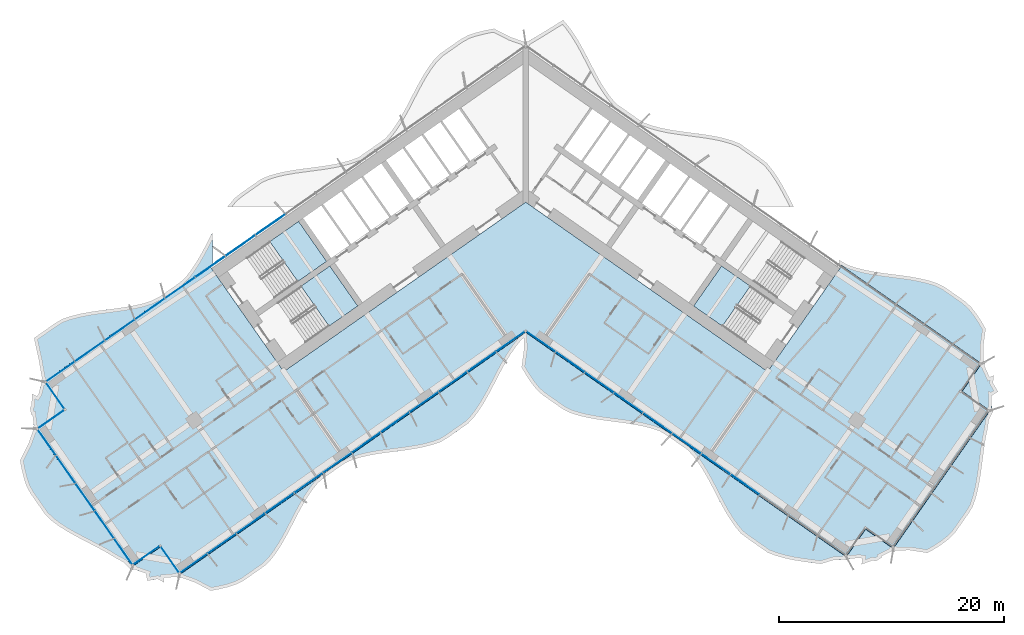
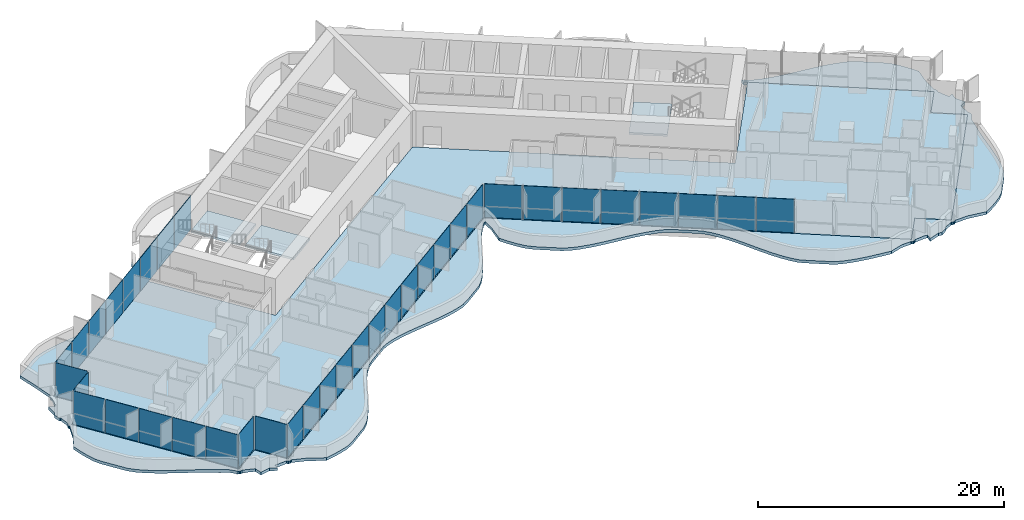
# One storey, part 10 of 23: 37 plates, 5 slabs, 5 elements without a shape of their own.
"""IFC4 building model written with IfcOpenShell, lengths in metres."""

import ifcopenshell
import ifcopenshell.guid

model = None  # the IFC model being written
_history = None  # IfcOwnerHistory: only IFC2X3 demands one
_inside = {}  # id of a spatial element -> (the spatial element, [elements in it])
_under = {}  # id of a project, library or spatial element -> (it, [spatial elements below it])
_declared = {}  # id of a project -> (the project, [libraries it declares])
_typed = {}  # id of a type object -> (the type object, [elements of that type])
_made_of = {}  # id of a material, layer set ... -> (it, [elements and type objects made of it])


def new_model(schema):
    """Start an empty IFC model of exactly this schema.

    Asked for "IFC4X3", IfcOpenShell would pick the latest addendum, in which some entities
    have other attributes; the version numbers below select the first issue.
    IFC2X3 requires an IfcOwnerHistory on every rooted entity: one is made here for all.
    """
    global model, _history
    if schema == "IFC4X3":
        model = ifcopenshell.file(schema_version=(4, 3, 0, 0))
    else:
        model = ifcopenshell.file(schema=schema)
    _inside.clear()
    _under.clear()
    _declared.clear()
    _typed.clear()
    _made_of.clear()
    _history = None
    if model.schema == "IFC2X3":
        org = make("IfcOrganization", Name="unknown")
        user = make(
            "IfcPersonAndOrganization",
            ThePerson=make("IfcPerson", FamilyName="unknown"),
            TheOrganization=org,
        )
        app = make(
            "IfcApplication",
            ApplicationDeveloper=org,
            Version="unknown",
            ApplicationFullName="unknown",
            ApplicationIdentifier="unknown",
        )
        _history = make(
            "IfcOwnerHistory",
            OwningUser=user,
            OwningApplication=app,
            ChangeAction="ADDED",
            CreationDate=0,
        )
    return model


def make(cls, **values):
    """One entity of the class cls with the attributes given. An attribute that is None is left unset."""
    return model.create_entity(
        cls, **{name: value for name, value in values.items() if value is not None}
    )


def rooted(cls, **values):
    """An entity with a GlobalId (a new one), such as an element, a storey or a relation."""
    return make(cls, GlobalId=ifcopenshell.guid.new(), OwnerHistory=_history, **values)


def si_unit(unit_type, name, prefix=None):
    """IfcSIUnit, for example si_unit("LENGTHUNIT", "METRE", prefix="MILLI")."""
    return make("IfcSIUnit", UnitType=unit_type, Prefix=prefix, Name=name)


def assignment(units):
    """IfcUnitAssignment: the units of a project."""
    return None if units is None else make("IfcUnitAssignment", Units=units)


def point(xyz):
    """IfcCartesianPoint."""
    return None if xyz is None else make("IfcCartesianPoint", Coordinates=xyz)


def direction(xyz):
    """IfcDirection."""
    return None if xyz is None else make("IfcDirection", DirectionRatios=xyz)


def frame(location, z_axis=None, x_axis=None):
    """IfcAxis2Placement3D, a coordinate frame: its origin and axes. An axis left out is left unset."""
    return make(
        "IfcAxis2Placement3D",
        Location=point(location),
        Axis=direction(z_axis),
        RefDirection=direction(x_axis),
    )


def frame_2d(location, x_axis=None):
    """IfcAxis2Placement2D, a coordinate frame in the plane: its origin and x axis."""
    return make(
        "IfcAxis2Placement2D", Location=point(location), RefDirection=direction(x_axis)
    )


def origin():
    """The frame at (0, 0, 0) with its axes left unset."""
    return frame((0.0, 0.0, 0.0))


def origin_2d():
    """The frame at (0, 0) in the plane with its x axis left unset."""
    return frame_2d((0.0, 0.0))


def place(relative_to, where):
    """IfcLocalPlacement: puts the frame where relative to a parent placement (None: the world)."""
    return make(
        "IfcLocalPlacement", PlacementRelTo=relative_to, RelativePlacement=where
    )


def context(
    kind, dimensions, precision=None, world=None, true_north=None, identifier=None
):
    """IfcGeometricRepresentationContext, for example the 3D "Model" context."""
    return make(
        "IfcGeometricRepresentationContext",
        ContextIdentifier=identifier,
        ContextType=kind,
        CoordinateSpaceDimension=dimensions,
        Precision=precision,
        WorldCoordinateSystem=world,
        TrueNorth=true_north,
    )


def subcontext(parent, identifier, kind, view, scale=None):
    """IfcGeometricRepresentationSubContext, for example "Body" below "Model"."""
    return make(
        "IfcGeometricRepresentationSubContext",
        ContextIdentifier=identifier,
        ContextType=kind,
        ParentContext=parent,
        TargetScale=scale,
        TargetView=view,
    )


def project(units=None, contexts=None):
    """IfcProject with its units and contexts."""
    return rooted(
        "IfcProject",
        Name="project",
        RepresentationContexts=contexts,
        UnitsInContext=assignment(units),
    )


def spatial(cls, under=None, at=None, **own):
    """A site, building, storey or space (cls), placed at a placement, below another one or the project."""
    s = rooted(cls, ObjectPlacement=at, **own)
    if under is not None:
        _under.setdefault(under.id(), (under, []))[1].append(s)
    return s


def polyline(points):
    """IfcPolyline through the points."""
    return make("IfcPolyline", Points=[point(p) for p in points])


def profile(cls, at=None, kind="AREA", **sizes):
    """A parametric profile (cls). Its sizes go by their IFC names, for example OverallWidth=200.0."""
    return make(cls, ProfileType=kind, Position=at, **sizes)


def rectangle(**sizes):
    """IfcRectangleProfileDef."""
    return profile("IfcRectangleProfileDef", **sizes)


def outline(outer, holes=None, kind="AREA"):
    """IfcArbitraryClosedProfileDef: a profile drawn as a closed curve; with holes, ...WithVoids."""
    if holes is None:
        return make("IfcArbitraryClosedProfileDef", ProfileType=kind, OuterCurve=outer)
    return make(
        "IfcArbitraryProfileDefWithVoids",
        ProfileType=kind,
        OuterCurve=outer,
        InnerCurves=holes,
    )


def extrude(swept, where, along, depth):
    """IfcExtrudedAreaSolid: the profile swept, set in the frame where, extruded along a direction by depth."""
    return make(
        "IfcExtrudedAreaSolid",
        SweptArea=swept,
        Position=where,
        ExtrudedDirection=direction(along),
        Depth=depth,
    )


def shape(context_of_items, identifier, shape_type, items):
    """IfcShapeRepresentation: the items that make up one representation, for example the "Body"."""
    return make(
        "IfcShapeRepresentation",
        ContextOfItems=context_of_items,
        RepresentationIdentifier=identifier,
        RepresentationType=shape_type,
        Items=items,
    )


def material(Name=None, Category=None):
    """IfcMaterial."""
    return make("IfcMaterial", Name=Name, Category=Category)


def layer(
    of_material, thickness, ventilated=None, Name=None, Category=None, Priority=None
):
    """IfcMaterialLayer: one layer of a wall or slab, of a material (None: an air gap)."""
    return make(
        "IfcMaterialLayer",
        Material=of_material,
        LayerThickness=thickness,
        IsVentilated=ventilated,
        Name=Name,
        Category=Category,
        Priority=Priority,
    )


def layer_set(layers, Name=None):
    """IfcMaterialLayerSet."""
    return make("IfcMaterialLayerSet", MaterialLayers=layers, LayerSetName=Name)


def made_of(thing, what):
    """Note that an element or type object is made of a material, layer set ...; save() writes the relation."""
    if what is not None:
        _made_of.setdefault(what.id(), (what, []))[1].append(thing)
    return thing


def type_object(cls, material=None, **own):
    """A type object (cls), such as IfcWallType, which elements share."""
    return made_of(rooted(cls, **own), material)


def element(
    cls,
    number,
    at=None,
    inside=None,
    cuts=None,
    type_object=None,
    material=None,
    context=None,
    identifier="Body",
    shape_type=None,
    held_by="IfcProductDefinitionShape",
    body=None,
    shapes=None,
    **own,
):
    """One element of the class cls, such as IfcWall. Its Tag is "e" and its number.

    at: its placement. inside: the storey or other place that contains it. cuts: it is an
    opening in that element (IfcRelVoidsElement). A single representation is given by context,
    identifier, shape_type and body (its items); several are given by shapes. held_by: the class
    of the entity that holds the representations. save() writes the other relations.
    """
    e = rooted(cls, Tag="e%d" % number, ObjectPlacement=at, **own)
    if body is not None:
        shapes = [shape(context, identifier, shape_type, body)]
    if shapes is not None:
        e.Representation = make(held_by, Representations=shapes)
    if inside is not None:
        _inside.setdefault(inside.id(), (inside, []))[1].append(e)
    if cuts is not None:
        rooted(
            "IfcRelVoidsElement", RelatingBuildingElement=cuts, RelatedOpeningElement=e
        )
    if type_object is not None:
        _typed.setdefault(type_object.id(), (type_object, []))[1].append(e)
    return made_of(e, material)


def aggregate(whole, parts):
    """IfcRelAggregates: a whole, such as a stair, and the parts it consists of."""
    return rooted("IfcRelAggregates", RelatingObject=whole, RelatedObjects=parts)


def save(model, path):
    """Write the relations noted so far, then the file.

    IfcRelAggregates (storeys below a building ...), IfcRelContainedInSpatialStructure (elements
    in a storey), IfcRelDefinesByType, IfcRelAssociatesMaterial and IfcRelDeclares: one each for
    every whole, place, type object, material and project.
    """
    for whole, parts in _under.values():
        aggregate(whole, parts)
    for where, things in _inside.values():
        rooted(
            "IfcRelContainedInSpatialStructure",
            RelatedElements=things,
            RelatingStructure=where,
        )
    for kind, things in _typed.values():
        rooted("IfcRelDefinesByType", RelatedObjects=things, RelatingType=kind)
    for what, things in _made_of.values():
        rooted("IfcRelAssociatesMaterial", RelatedObjects=things, RelatingMaterial=what)
    for by, libraries in _declared.values():
        rooted("IfcRelDeclares", RelatingContext=by, RelatedDefinitions=libraries)
    model.write(path)


model = new_model("IFC4")

# Units and contexts
model_context = context("Model", 3, precision=1e-05, world=origin(), true_north=direction((0.0, 1.0)))
body_context = subcontext(model_context, "Body", "Model", "MODEL_VIEW")
ifc_project = project(units=[si_unit("LENGTHUNIT", "METRE"), si_unit("AREAUNIT", "SQUARE_METRE"), si_unit("VOLUMEUNIT", "CUBIC_METRE"), si_unit("PLANEANGLEUNIT", "RADIAN"), si_unit("MASSUNIT", "GRAM", prefix="KILO")], contexts=[model_context])

# Site, building, storey
site_placement = place(None, origin())
site = spatial("IfcSite", under=ifc_project, at=site_placement, CompositionType="ELEMENT")
building_placement = place(site_placement, origin())
building = spatial("IfcBuilding", under=site, at=building_placement, Name="Tel Ilan Convention Tower", CompositionType="ELEMENT")
storey_placement = place(building_placement, frame((0.0, 0.0, 86.89990234375)))
storey = spatial("IfcBuildingStorey", under=building, at=storey_placement, Name="L17", CompositionType="ELEMENT", Elevation=86.89990234375)

# Curtain wall, plates
ifc_material_1 = material(Name="Aluminium, bronze anodised", Category="aluminium")
curtain_wall_type_1 = type_object("IfcCurtainWallType", Name="CW1 UNITISED CURTAIN WALL, HOTEL TINTED GLASS", PredefinedType="NOTDEFINED", material=ifc_material_1)
curtain_wall_1_placement = place(storey_placement, origin())
curtain_wall_1 = element("IfcCurtainWall", 1, at=curtain_wall_1_placement, inside=storey, type_object=curtain_wall_type_1, Name="Curtain wall CW1-15.02", PredefinedType="NOTDEFINED")
ifc_material_2 = material(Name="Glass, bronze tinted, two-ply unitised", Category="glass")
ifc_layer_1 = layer(ifc_material_2, 0.028076171875)
ifc_layer_set_1 = layer_set([ifc_layer_1], Name="CW HOTEL GLASS PANEL 28")
plate_type_1 = type_object("IfcPlateType", Name="CW HOTEL GLASS PANEL 28", PredefinedType="CURTAIN_PANEL", material=ifc_layer_set_1)
plate_1_placement = place(storey_placement, frame((-30.765869140625, -8.846435546875, 0.0), z_axis=(0.0, 0.0, 1.0), x_axis=(-0.819152044289, -0.573576436351, 0.0)))
plate_1 = element("IfcPlate", 2, at=plate_1_placement, type_object=plate_type_1, Name="Glass panel", PredefinedType="CURTAIN_PANEL", context=body_context, shape_type="SweptSolid", body=[
    extrude(rectangle(XDim=3.2119140625, YDim=0.028076171875, at=origin_2d()), origin(), (0.0, 0.0, 1.0), 3.320068359375),
])
plate_2_placement = place(storey_placement, frame((-33.446044921875, -10.72314453125, 0.0), z_axis=(0.0, 0.0, 1.0), x_axis=(-0.819152044289, -0.573576436351, 0.0)))
plate_2 = element("IfcPlate", 3, at=plate_2_placement, type_object=plate_type_1, Name="Glass panel", PredefinedType="CURTAIN_PANEL", context=body_context, shape_type="SweptSolid", body=[
    extrude(rectangle(XDim=3.2119140625, YDim=0.028076171875, at=origin_2d()), origin(), (0.0, 0.0, 1.0), 3.320068359375),
])
plate_3_placement = place(storey_placement, frame((-36.12646484375, -12.599853515625, 0.0), z_axis=(0.0, 0.0, 1.0), x_axis=(-0.819152044289, -0.573576436351, 0.0)))
plate_3 = element("IfcPlate", 4, at=plate_3_placement, type_object=plate_type_1, Name="Glass panel", PredefinedType="CURTAIN_PANEL", context=body_context, shape_type="SweptSolid", body=[
    extrude(rectangle(XDim=3.2119140625, YDim=0.028076171875, at=origin_2d()), origin(), (0.0, 0.0, 1.0), 3.320068359375),
])
plate_4_placement = place(storey_placement, frame((-38.806640625, -14.4765625, 0.0), z_axis=(0.0, 0.0, 1.0), x_axis=(-0.819152044289, -0.573576436351, 0.0)))
plate_4 = element("IfcPlate", 5, at=plate_4_placement, type_object=plate_type_1, Name="Glass panel", PredefinedType="CURTAIN_PANEL", context=body_context, shape_type="SweptSolid", body=[
    extrude(rectangle(XDim=3.2119140625, YDim=0.028076171875, at=origin_2d()), origin(), (0.0, 0.0, 1.0), 3.320068359375),
])
plate_5_placement = place(storey_placement, frame((-41.448486328125, -16.326416015625, 0.0), z_axis=(0.0, 0.0, 1.0), x_axis=(-0.819152044289, -0.573576436351, 0.0)))
plate_5 = element("IfcPlate", 6, at=plate_5_placement, type_object=plate_type_1, Name="Glass panel", PredefinedType="CURTAIN_PANEL", context=body_context, shape_type="SweptSolid", body=[
    extrude(rectangle(XDim=3.117919921875, YDim=0.028076171875, at=origin_2d()), origin(), (0.0, 0.0, 1.0), 3.320068359375),
])
plate_6_placement = place(storey_placement, frame((-41.90673828125, -18.431640625, 0.0), z_axis=(0.0, 0.0, 1.0), x_axis=(0.573576436351, -0.819152044289, 0.0)))
plate_6 = element("IfcPlate", 7, at=plate_6_placement, type_object=plate_type_1, Name="Glass panel", PredefinedType="CURTAIN_PANEL", context=body_context, shape_type="SweptSolid", body=[
    extrude(rectangle(XDim=2.875, YDim=0.028076171875, at=origin_2d()), origin(), (0.0, 0.0, 1.0), 3.320068359375),
])
plate_7_placement = place(storey_placement, frame((-42.28466796875, -20.57421875, 0.0), z_axis=(0.0, 0.0, 1.0), x_axis=(-0.819152044289, -0.573576436351, 0.0)))
plate_7 = element("IfcPlate", 8, at=plate_7_placement, type_object=plate_type_1, Name="Glass panel", PredefinedType="CURTAIN_PANEL", context=body_context, shape_type="SweptSolid", body=[
    extrude(rectangle(XDim=2.875, YDim=0.028076171875, at=origin_2d()), origin(), (0.0, 0.0, 1.0), 3.320068359375),
])
plate_8_placement = place(storey_placement, frame((-42.65185546875, -22.597900390625, 0.0), z_axis=(0.0, 0.0, 1.0), x_axis=(0.573576436351, -0.819152044289, 0.0)))
plate_8 = element("IfcPlate", 9, at=plate_8_placement, type_object=plate_type_1, Name="Glass panel", PredefinedType="CURTAIN_PANEL", context=body_context, shape_type="SweptSolid", body=[
    extrude(rectangle(XDim=2.845947265625, YDim=0.028076171875, at=origin_2d()), origin(), (0.0, 0.0, 1.0), 3.320068359375),
])
plate_9_placement = place(storey_placement, frame((-40.9580078125, -25.016845703125, 0.0), z_axis=(0.0, 0.0, 1.0), x_axis=(0.573576436351, -0.819152044289, 0.0)))
plate_9 = element("IfcPlate", 10, at=plate_9_placement, type_object=plate_type_1, Name="Glass panel", PredefinedType="CURTAIN_PANEL", context=body_context, shape_type="SweptSolid", body=[
    extrude(rectangle(XDim=2.93994140625, YDim=0.028076171875, at=origin_2d()), origin(), (0.0, 0.0, 1.0), 3.320068359375),
])
plate_10_placement = place(storey_placement, frame((-39.2373046875, -27.474365234375, 0.0), z_axis=(0.0, 0.0, 1.0), x_axis=(0.573576436351, -0.819152044289, 0.0)))
plate_10 = element("IfcPlate", 11, at=plate_10_placement, type_object=plate_type_1, Name="Glass panel", PredefinedType="CURTAIN_PANEL", context=body_context, shape_type="SweptSolid", body=[
    extrude(rectangle(XDim=2.93994140625, YDim=0.028076171875, at=origin_2d()), origin(), (0.0, 0.0, 1.0), 3.320068359375),
])
plate_11_placement = place(storey_placement, frame((-37.5166015625, -29.931884765625, 0.0), z_axis=(0.0, 0.0, 1.0), x_axis=(0.573576436351, -0.819152044289, 0.0)))
plate_11 = element("IfcPlate", 12, at=plate_11_placement, type_object=plate_type_1, Name="Glass panel", PredefinedType="CURTAIN_PANEL", context=body_context, shape_type="SweptSolid", body=[
    extrude(rectangle(XDim=2.93994140625, YDim=0.028076171875, at=origin_2d()), origin(), (0.0, 0.0, 1.0), 3.320068359375),
])
plate_12_placement = place(storey_placement, frame((-35.822998046875, -32.350830078125, 0.0), z_axis=(0.0, 0.0, 1.0), x_axis=(0.573576436351, -0.819152044289, 0.0)))
plate_12 = element("IfcPlate", 13, at=plate_12_placement, type_object=plate_type_1, Name="Glass panel", PredefinedType="CURTAIN_PANEL", context=body_context, shape_type="SweptSolid", body=[
    extrude(rectangle(XDim=2.845947265625, YDim=0.028076171875, at=origin_2d()), origin(), (0.0, 0.0, 1.0), 3.320068359375),
])
plate_13_placement = place(storey_placement, frame((-33.795654296875, -32.69775390625, 0.0), z_axis=(0.0, 0.0, 1.0), x_axis=(0.819152044289, 0.573576436351, 0.0)))
plate_13 = element("IfcPlate", 14, at=plate_13_placement, type_object=plate_type_1, Name="Glass panel", PredefinedType="CURTAIN_PANEL", context=body_context, shape_type="SweptSolid", body=[
    extrude(rectangle(XDim=2.875, YDim=0.028076171875, at=origin_2d()), origin(), (0.0, 0.0, 1.0), 3.320068359375),
])
plate_14_placement = place(storey_placement, frame((-31.653076171875, -33.07568359375, 0.0), z_axis=(0.0, 0.0, 1.0), x_axis=(0.573576436351, -0.819152044289, 0.0)))
plate_14 = element("IfcPlate", 15, at=plate_14_placement, type_object=plate_type_1, Name="Glass panel", PredefinedType="CURTAIN_PANEL", context=body_context, shape_type="SweptSolid", body=[
    extrude(rectangle(XDim=2.875, YDim=0.028076171875, at=origin_2d()), origin(), (0.0, 0.0, 1.0), 3.320068359375),
])
plate_15_placement = place(storey_placement, frame((-29.5732421875, -33.4033203125, 0.0), z_axis=(0.0, 0.0, 1.0), x_axis=(0.819152044289, 0.573576436351, 0.0)))
plate_15 = element("IfcPlate", 16, at=plate_15_placement, type_object=plate_type_1, Name="Glass panel", PredefinedType="CURTAIN_PANEL", context=body_context, shape_type="SweptSolid", body=[
    extrude(rectangle(XDim=2.9833984375, YDim=0.028076171875, at=origin_2d()), origin(), (0.0, 0.0, 1.0), 3.320068359375),
])
plate_16_placement = place(storey_placement, frame((-27.041748046875, -31.630859375, 0.0), z_axis=(0.0, 0.0, 1.0), x_axis=(0.819152044289, 0.573576436351, 0.0)))
plate_16 = element("IfcPlate", 17, at=plate_16_placement, type_object=plate_type_1, Name="Glass panel", PredefinedType="CURTAIN_PANEL", context=body_context, shape_type="SweptSolid", body=[
    extrude(rectangle(XDim=3.077392578125, YDim=0.028076171875, at=origin_2d()), origin(), (0.0, 0.0, 1.0), 3.320068359375),
])
plate_17_placement = place(storey_placement, frame((-24.4716796875, -29.831298828125, 0.0), z_axis=(0.0, 0.0, 1.0), x_axis=(0.819152044289, 0.573576436351, 0.0)))
plate_17 = element("IfcPlate", 18, at=plate_17_placement, type_object=plate_type_1, Name="Glass panel", PredefinedType="CURTAIN_PANEL", context=body_context, shape_type="SweptSolid", body=[
    extrude(rectangle(XDim=3.077392578125, YDim=0.028076171875, at=origin_2d()), origin(), (0.0, 0.0, 1.0), 3.320068359375),
])
plate_18_placement = place(storey_placement, frame((-21.90185546875, -28.031982421875, 0.0), z_axis=(0.0, 0.0, 1.0), x_axis=(0.819152044289, 0.573576436351, 0.0)))
plate_18 = element("IfcPlate", 19, at=plate_18_placement, type_object=plate_type_1, Name="Glass panel", PredefinedType="CURTAIN_PANEL", context=body_context, shape_type="SweptSolid", body=[
    extrude(rectangle(XDim=3.077392578125, YDim=0.028076171875, at=origin_2d()), origin(), (0.0, 0.0, 1.0), 3.320068359375),
])
plate_19_placement = place(storey_placement, frame((-19.33203125, -26.232421875, 0.0), z_axis=(0.0, 0.0, 1.0), x_axis=(0.819152044289, 0.573576436351, 0.0)))
plate_19 = element("IfcPlate", 20, at=plate_19_placement, type_object=plate_type_1, Name="Glass panel", PredefinedType="CURTAIN_PANEL", context=body_context, shape_type="SweptSolid", body=[
    extrude(rectangle(XDim=3.077392578125, YDim=0.028076171875, at=origin_2d()), origin(), (0.0, 0.0, 1.0), 3.320068359375),
])
plate_20_placement = place(storey_placement, frame((-16.761962890625, -24.432861328125, 0.0), z_axis=(0.0, 0.0, 1.0), x_axis=(0.819152044289, 0.573576436351, 0.0)))
plate_20 = element("IfcPlate", 21, at=plate_20_placement, type_object=plate_type_1, Name="Glass panel", PredefinedType="CURTAIN_PANEL", context=body_context, shape_type="SweptSolid", body=[
    extrude(rectangle(XDim=3.077392578125, YDim=0.028076171875, at=origin_2d()), origin(), (0.0, 0.0, 1.0), 3.320068359375),
])
plate_21_placement = place(storey_placement, frame((-14.192138671875, -22.633544921875, 0.0), z_axis=(0.0, 0.0, 1.0), x_axis=(0.819152044289, 0.573576436351, 0.0)))
plate_21 = element("IfcPlate", 22, at=plate_21_placement, type_object=plate_type_1, Name="Glass panel", PredefinedType="CURTAIN_PANEL", context=body_context, shape_type="SweptSolid", body=[
    extrude(rectangle(XDim=3.077392578125, YDim=0.028076171875, at=origin_2d()), origin(), (0.0, 0.0, 1.0), 3.320068359375),
])
plate_22_placement = place(storey_placement, frame((-11.6220703125, -20.833984375, 0.0), z_axis=(0.0, 0.0, 1.0), x_axis=(0.819152044289, 0.573576436351, 0.0)))
plate_22 = element("IfcPlate", 23, at=plate_22_placement, type_object=plate_type_1, Name="Glass panel", PredefinedType="CURTAIN_PANEL", context=body_context, shape_type="SweptSolid", body=[
    extrude(rectangle(XDim=3.077392578125, YDim=0.028076171875, at=origin_2d()), origin(), (0.0, 0.0, 1.0), 3.320068359375),
])
plate_23_placement = place(storey_placement, frame((-9.05224609375, -19.034423828125, 0.0), z_axis=(0.0, 0.0, 1.0), x_axis=(0.819152044289, 0.573576436351, 0.0)))
plate_23 = element("IfcPlate", 24, at=plate_23_placement, type_object=plate_type_1, Name="Glass panel", PredefinedType="CURTAIN_PANEL", context=body_context, shape_type="SweptSolid", body=[
    extrude(rectangle(XDim=3.077392578125, YDim=0.028076171875, at=origin_2d()), origin(), (0.0, 0.0, 1.0), 3.320068359375),
])
plate_24_placement = place(storey_placement, frame((-6.482177734375, -17.23486328125, 0.0), z_axis=(0.0, 0.0, 1.0), x_axis=(0.819152044289, 0.573576436351, 0.0)))
plate_24 = element("IfcPlate", 25, at=plate_24_placement, type_object=plate_type_1, Name="Glass panel", PredefinedType="CURTAIN_PANEL", context=body_context, shape_type="SweptSolid", body=[
    extrude(rectangle(XDim=3.077392578125, YDim=0.028076171875, at=origin_2d()), origin(), (0.0, 0.0, 1.0), 3.320068359375),
])
plate_25_placement = place(storey_placement, frame((-3.912353515625, -15.435546875, 0.0), z_axis=(0.0, 0.0, 1.0), x_axis=(0.819152044289, 0.573576436351, 0.0)))
plate_25 = element("IfcPlate", 26, at=plate_25_placement, type_object=plate_type_1, Name="Glass panel", PredefinedType="CURTAIN_PANEL", context=body_context, shape_type="SweptSolid", body=[
    extrude(rectangle(XDim=3.077392578125, YDim=0.028076171875, at=origin_2d()), origin(), (0.0, 0.0, 1.0), 3.320068359375),
])
plate_26_placement = place(storey_placement, frame((-1.3427734375, -13.63623046875, 0.0), z_axis=(0.0, 0.0, 1.0), x_axis=(0.819152044289, 0.573576436351, 0.0)))
plate_26 = element("IfcPlate", 27, at=plate_26_placement, type_object=plate_type_1, Name="Glass panel", PredefinedType="CURTAIN_PANEL", context=body_context, shape_type="SweptSolid", body=[
    extrude(rectangle(XDim=3.076416015625, YDim=0.028076171875, at=origin_2d()), origin(), (0.0, 0.0, 1.0), 3.320068359375),
])
plate_27_placement = place(storey_placement, frame((1.366943359375, -13.653076171875, 0.0), z_axis=(0.0, 0.0, 1.0), x_axis=(0.819152044289, -0.573576436351, 0.0)))
plate_27 = element("IfcPlate", 28, at=plate_27_placement, type_object=plate_type_1, Name="Glass panel", PredefinedType="CURTAIN_PANEL", context=body_context, shape_type="SweptSolid", body=[
    extrude(rectangle(XDim=3.078857421875, YDim=0.028076171875, at=origin_2d()), origin(), (0.0, 0.0, 1.0), 3.320068359375),
])
plate_28_placement = place(storey_placement, frame((3.949951171875, -15.4619140625, 0.0), z_axis=(0.0, 0.0, 1.0), x_axis=(0.819152044289, -0.573576436351, 0.0)))
plate_28 = element("IfcPlate", 29, at=plate_28_placement, type_object=plate_type_1, Name="Glass panel", PredefinedType="CURTAIN_PANEL", context=body_context, shape_type="SweptSolid", body=[
    extrude(rectangle(XDim=3.10791015625, YDim=0.028076171875, at=origin_2d()), origin(), (0.0, 0.0, 1.0), 3.320068359375),
])
plate_29_placement = place(storey_placement, frame((6.544921875, -17.27880859375, 0.0), z_axis=(0.0, 0.0, 1.0), x_axis=(0.819152044289, -0.573576436351, 0.0)))
plate_29 = element("IfcPlate", 30, at=plate_29_placement, type_object=plate_type_1, Name="Glass panel", PredefinedType="CURTAIN_PANEL", context=body_context, shape_type="SweptSolid", body=[
    extrude(rectangle(XDim=3.10791015625, YDim=0.028076171875, at=origin_2d()), origin(), (0.0, 0.0, 1.0), 3.320068359375),
])
plate_30_placement = place(storey_placement, frame((9.14013671875, -19.095947265625, 0.0), z_axis=(0.0, 0.0, 1.0), x_axis=(0.819152044289, -0.573576436351, 0.0)))
plate_30 = element("IfcPlate", 31, at=plate_30_placement, type_object=plate_type_1, Name="Glass panel", PredefinedType="CURTAIN_PANEL", context=body_context, shape_type="SweptSolid", body=[
    extrude(rectangle(XDim=3.10791015625, YDim=0.028076171875, at=origin_2d()), origin(), (0.0, 0.0, 1.0), 3.320068359375),
])
plate_31_placement = place(storey_placement, frame((11.735107421875, -20.9130859375, 0.0), z_axis=(0.0, 0.0, 1.0), x_axis=(0.819152044289, -0.573576436351, 0.0)))
plate_31 = element("IfcPlate", 32, at=plate_31_placement, type_object=plate_type_1, Name="Glass panel", PredefinedType="CURTAIN_PANEL", context=body_context, shape_type="SweptSolid", body=[
    extrude(rectangle(XDim=3.10791015625, YDim=0.028076171875, at=origin_2d()), origin(), (0.0, 0.0, 1.0), 3.320068359375),
])
plate_32_placement = place(storey_placement, frame((14.330078125, -22.730224609375, 0.0), z_axis=(0.0, 0.0, 1.0), x_axis=(0.819152044289, -0.573576436351, 0.0)))
plate_32 = element("IfcPlate", 33, at=plate_32_placement, type_object=plate_type_1, Name="Glass panel", PredefinedType="CURTAIN_PANEL", context=body_context, shape_type="SweptSolid", body=[
    extrude(rectangle(XDim=3.10791015625, YDim=0.028076171875, at=origin_2d()), origin(), (0.0, 0.0, 1.0), 3.320068359375),
])
plate_33_placement = place(storey_placement, frame((16.92529296875, -24.54736328125, 0.0), z_axis=(0.0, 0.0, 1.0), x_axis=(0.819152044289, -0.573576436351, 0.0)))
plate_33 = element("IfcPlate", 34, at=plate_33_placement, type_object=plate_type_1, Name="Glass panel", PredefinedType="CURTAIN_PANEL", context=body_context, shape_type="SweptSolid", body=[
    extrude(rectangle(XDim=3.10791015625, YDim=0.028076171875, at=origin_2d()), origin(), (0.0, 0.0, 1.0), 3.320068359375),
])
plate_34_placement = place(storey_placement, frame((19.520263671875, -26.3642578125, 0.0), z_axis=(0.0, 0.0, 1.0), x_axis=(0.819152044289, -0.573576436351, 0.0)))
plate_34 = element("IfcPlate", 35, at=plate_34_placement, type_object=plate_type_1, Name="Glass panel", PredefinedType="CURTAIN_PANEL", context=body_context, shape_type="SweptSolid", body=[
    extrude(rectangle(XDim=3.10791015625, YDim=0.028076171875, at=origin_2d()), origin(), (0.0, 0.0, 1.0), 3.320068359375),
])
aggregate(curtain_wall_1, [plate_1, plate_2, plate_3, plate_4, plate_5, plate_6, plate_7, plate_8, plate_9, plate_10, plate_11, plate_12, plate_13, plate_14, plate_15, plate_16, plate_17, plate_18, plate_19, plate_20, plate_21, plate_22, plate_23, plate_24, plate_25, plate_26, plate_27, plate_28, plate_29, plate_30, plate_31, plate_32, plate_33, plate_34])

ifc_material_3 = material(Name="Aluminium, bronze anodised", Category="aluminium")
curtain_wall_type_2 = type_object("IfcCurtainWallType", Name="CW2 STICK CURTAIN WALL, SPANDREL PANELS", PredefinedType="NOTDEFINED", material=ifc_material_3)
curtain_wall_2_placement = place(storey_placement, origin())
curtain_wall_2 = element("IfcCurtainWall", 36, at=curtain_wall_2_placement, inside=storey, type_object=curtain_wall_type_2, Name="Curtain wall CW2-15.01", PredefinedType="NOTDEFINED")
ifc_material_4 = material(Name="Aluminium composite panel, bronze anodised", Category="aluminium")
ifc_layer_2 = layer(ifc_material_4, 0.06005859375)
ifc_layer_set_2 = layer_set([ifc_layer_2], Name="CW SPANDREL PANEL 60")
plate_type_2 = type_object("IfcPlateType", Name="CW SPANDREL PANEL 60", PredefinedType="CURTAIN_PANEL", material=ifc_layer_set_2)
plate_35_placement = place(storey_placement, frame((-22.72509765625, -3.216064453125, 0.0), z_axis=(0.0, 0.0, 1.0), x_axis=(-0.819152044289, -0.573576436351, 0.0)))
plate_35 = element("IfcPlate", 37, at=plate_35_placement, type_object=plate_type_2, Name="Spandrel panel", PredefinedType="CURTAIN_PANEL", context=body_context, shape_type="SweptSolid", body=[
    extrude(rectangle(XDim=3.2119140625, YDim=0.06005859375, at=origin_2d()), origin(), (0.0, 0.0, 1.0), 3.320068359375),
])
plate_36_placement = place(storey_placement, frame((-25.4052734375, -5.0927734375, 0.0), z_axis=(0.0, 0.0, 1.0), x_axis=(-0.819152044289, -0.573576436351, 0.0)))
plate_36 = element("IfcPlate", 38, at=plate_36_placement, type_object=plate_type_2, Name="Spandrel panel", PredefinedType="CURTAIN_PANEL", context=body_context, shape_type="SweptSolid", body=[
    extrude(rectangle(XDim=3.2119140625, YDim=0.06005859375, at=origin_2d()), origin(), (0.0, 0.0, 1.0), 3.320068359375),
])
plate_37_placement = place(storey_placement, frame((-28.08544921875, -6.9697265625, 0.0), z_axis=(0.0, 0.0, 1.0), x_axis=(-0.819152044289, -0.573576436351, 0.0)))
plate_37 = element("IfcPlate", 39, at=plate_37_placement, type_object=plate_type_2, Name="Spandrel panel", PredefinedType="CURTAIN_PANEL", context=body_context, shape_type="SweptSolid", body=[
    extrude(rectangle(XDim=3.2119140625, YDim=0.06005859375, at=origin_2d()), origin(), (0.0, 0.0, 1.0), 3.320068359375),
])
aggregate(curtain_wall_2, [plate_35, plate_36, plate_37])

# Stair, slab
ifc_material_5 = material(Name="Concrete C40/50", Category="concrete")
stair_type = type_object("IfcStairType", Name="Pressurised Exit Stair 20 risers 180 mm", PredefinedType="HALF_TURN_STAIR", material=ifc_material_5)
stair_1_placement = place(storey_placement, origin())
stair_1 = element("IfcStair", 40, at=stair_1_placement, inside=storey, type_object=stair_type, Name="L17 Pressurised Stair S1", PredefinedType="HALF_TURN_STAIR")
ifc_material_6 = material(Name="Concrete C40/50", Category="concrete")
ifc_layer_3 = layer(ifc_material_6, 0.199951171875)
ifc_layer_set_3 = layer_set([ifc_layer_3], Name="Concrete Stair Landing 200 mm C40/50")
slab_type_1 = type_object("IfcSlabType", Name="Concrete Stair Landing 200 mm", PredefinedType="LANDING", material=ifc_layer_set_3)
slab_1_placement = place(storey_placement, frame((0.0, 0.0, 1.60009765625)))
slab_1 = element("IfcSlab", 41, at=slab_1_placement, type_object=slab_type_1, Name="S1 landing 1", PredefinedType="LANDING", context=body_context, shape_type="SweptSolid", body=[
    extrude(outline(polyline([(-20.2958984375, -8.29052734375), (-17.7314453125, -6.494873046875), (-20.226318359375, -2.931640625), (-22.791015625, -4.727294921875), (-20.2958984375, -8.29052734375)])), origin(), (0.0, 0.0, 1.0), 0.199951171875),
])
aggregate(stair_1, [slab_1])

stair_2_placement = place(storey_placement, origin())
stair_2 = element("IfcStair", 42, at=stair_2_placement, inside=storey, type_object=stair_type, Name="L17 Pressurised Stair S2", PredefinedType="HALF_TURN_STAIR")
slab_2_placement = place(storey_placement, frame((0.0, 0.0, 1.60009765625)))
slab_2 = element("IfcSlab", 43, at=slab_2_placement, type_object=slab_type_1, Name="S2 landing 1", PredefinedType="LANDING", context=body_context, shape_type="SweptSolid", body=[
    extrude(outline(polyline([(-17.51416015625, -12.263427734375), (-14.949462890625, -10.4677734375), (-17.444580078125, -6.904541015625), (-20.00927734375, -8.7001953125), (-17.51416015625, -12.263427734375)])), origin(), (0.0, 0.0, 1.0), 0.199951171875),
])
aggregate(stair_2, [slab_2])

stair_3_placement = place(storey_placement, origin())
stair_3 = element("IfcStair", 44, at=stair_3_placement, inside=storey, type_object=stair_type, Name="L17 Pressurised Stair S4", PredefinedType="HALF_TURN_STAIR")
slab_3_placement = place(storey_placement, frame((0.0, 0.0, 1.60009765625)))
slab_3 = element("IfcSlab", 45, at=slab_3_placement, type_object=slab_type_1, Name="S4 landing 1", PredefinedType="LANDING", context=body_context, shape_type="SweptSolid", body=[
    extrude(outline(polyline([(20.00927734375, -8.7001953125), (17.444580078125, -6.904541015625), (14.949462890625, -10.4677734375), (17.51416015625, -12.263427734375), (20.00927734375, -8.7001953125)])), origin(), (0.0, 0.0, 1.0), 0.199951171875),
])
aggregate(stair_3, [slab_3])

# Slabs
ifc_material_7 = material(Name="Concrete C40/50", Category="concrete")
ifc_layer_4 = layer(ifc_material_7, 0.280029296875)
ifc_layer_set_4 = layer_set([ifc_layer_4], Name="Edge Ledge Slab 280 mm C40/50")
slab_type_2 = type_object("IfcSlabType", Name="Edge Ledge Slab 280 mm C40/50", PredefinedType="FLOOR", material=ifc_layer_set_4)
slab_4_placement = place(storey_placement, frame((0.0, 0.0, -0.27978515625)))
element("IfcSlab", 46, at=slab_4_placement, inside=storey, type_object=slab_type_2, Name="L17 edge ledge 1", PredefinedType="FLOOR", context=body_context, shape_type="SweptSolid", body=[
    extrude(outline(polyline([(-32.20068359375, -35.082763671875), (-32.80029296875, -34.77490234375), (-33.688720703125, -34.9423828125), (-33.821533203125, -34.302734375), (-33.810546875, -34.284912109375), (-34.845458984375, -33.921142578125), (-34.8486328125, -33.91650390625), (-34.902587890625, -33.952392578125), (-35.017578125, -33.975341796875), (-35.13232421875, -33.952392578125), (-35.2294921875, -33.887451171875), (-35.258544921875, -33.843994140625), (-35.26318359375, -33.847412109375), (-35.783203125, -33.2958984375), (-36.523681640625, -32.89892578125), (-37.22021484375, -32.470703125), (-37.94970703125, -32.066162109375), (-38.698486328125, -31.6748046875), (-39.452392578125, -31.287353515625), (-40.196533203125, -30.892578125), (-40.91650390625, -30.481201171875), (-41.59912109375, -30.04345703125), (-42.232421875, -29.571533203125), (-42.7802734375, -29.03955078125), (-44.07080078125, -27.1962890625), (-44.438720703125, -26.538330078125), (-44.68408203125, -25.794677734375), (-44.876953125, -25.01416015625), (-45.028564453125, -24.20458984375), (-44.2939453125, -22.77490234375), (-43.866943359375, -21.56005859375), (-43.8623046875, -21.556884765625), (-43.898193359375, -21.502685546875), (-43.921142578125, -21.387939453125), (-43.898193359375, -21.273193359375), (-43.833251953125, -21.17578125), (-43.789794921875, -21.14697265625), (-43.793212890625, -21.142333984375), (-43.909912109375, -20.177978515625), (-44.01318359375, -20.197509765625), (-44.14599609375, -19.55810546875), (-43.9833984375, -19.29150390625), (-43.980224609375, -18.259765625), (-43.50390625, -18.504638671875), (-43.3671875, -18.2802734375), (-43.130126953125, -17.3818359375), (-43.12548828125, -17.378662109375), (-43.16162109375, -17.32470703125), (-43.184326171875, -17.209716796875), (-43.16162109375, -17.094970703125), (-43.096435546875, -16.997802734375), (-43.05322265625, -16.96875), (-43.056396484375, -16.964111328125), (-43.364990234375, -15.219482421875), (-43.78125, -13.321044921875), (-43.168701171875, -12.89208984375), (-41.943603515625, -12.0341796875), (-41.30322265625, -11.64453125), (-40.56787109375, -11.390869140625), (-39.794921875, -11.19091796875), (-38.99169921875, -11.033935546875), (-38.1669921875, -10.90771484375), (-37.33056640625, -10.798583984375), (-36.4921875, -10.69189453125), (-35.66259765625, -10.572998046875), (-34.851318359375, -10.427734375), (-34.067138671875, -10.243408203125), (-33.318603515625, -10.0087890625), (-32.6416015625, -9.671630859375), (-30.8037109375, -8.384765625), (-30.250244140625, -7.87109375), (-29.772216796875, -7.250244140625), (-29.329345703125, -6.57861328125), (-28.91455078125, -5.8671875), (-28.518310546875, -5.129150390625), (-28.131103515625, -4.378173828125), (-27.875, -3.883544921875), (-27.875, -6.7001953125), (-42.884521484375, -17.209716796875), (-41.163818359375, -19.667236328125), (-43.62109375, -21.387939453125), (-35.017578125, -33.67529296875), (-32.56005859375, -31.95458984375), (-30.83935546875, -34.412109375), (0.0, -12.818115234375), (28.545654296875, -32.805908203125), (30.266357421875, -30.3486328125), (32.723876953125, -32.0693359375), (41.327392578125, -19.781982421875), (38.8701171875, -18.061279296875), (40.5908203125, -15.603759765625), (27.875, -6.7001953125), (27.875, -6.333740234375), (28.040283203125, -6.44970703125), (28.68408203125, -6.820068359375), (29.414794921875, -7.0654296875), (30.181884765625, -7.259521484375), (30.97802734375, -7.412109375), (31.79443359375, -7.535400390625), (32.6220703125, -7.64306640625), (33.450927734375, -7.748779296875), (34.27099609375, -7.86669921875), (35.072998046875, -8.0107421875), (35.84814453125, -8.193115234375), (36.5888671875, -8.4248046875), (37.260498046875, -8.755126953125), (39.077880859375, -10.027587890625), (39.63232421875, -10.525390625), (40.108154296875, -11.13525390625), (40.548583984375, -11.795654296875), (40.96044921875, -12.496826171875), (40.743408203125, -14.096435546875), (40.7626953125, -15.358154296875), (40.759521484375, -15.36279296875), (40.802978515625, -15.3916015625), (40.867919921875, -15.489013671875), (40.890869140625, -15.603759765625), (40.867919921875, -15.718505859375), (40.831787109375, -15.772705078125), (40.83642578125, -15.77587890625), (41.29638671875, -16.79443359375), (41.686767578125, -16.65380859375), (41.602294921875, -17.322509765625), (42.063720703125, -18.10009765625), (41.508056640625, -18.443603515625), (41.487548828125, -18.439453125), (41.49951171875, -19.536376953125), (41.496337890625, -19.541015625), (41.53955078125, -19.56982421875), (41.604736328125, -19.667236328125), (41.62744140625, -19.781982421875), (41.604736328125, -19.896728515625), (41.568603515625, -19.95068359375), (41.5732421875, -19.9541015625), (41.24267578125, -20.594482421875), (41.12841796875, -21.386474609375), (40.97021484375, -22.147705078125), (40.841064453125, -22.929443359375), (40.732421875, -23.72509765625), (40.631103515625, -24.5263671875), (40.52490234375, -25.323974609375), (40.40087890625, -26.10888671875), (40.247314453125, -26.87353515625), (40.0537109375, -27.60986328125), (39.810791015625, -28.311767578125), (39.44189453125, -28.925537109375), (38.212890625, -30.680908203125), (37.701904296875, -31.195068359375), (37.104736328125, -31.64892578125), (36.4619140625, -32.07080078125), (35.769775390625, -32.4580078125), (34.16845703125, -32.208740234375), (32.969482421875, -32.241455078125), (32.96484375, -32.238037109375), (32.93603515625, -32.281494140625), (32.838623046875, -32.346435546875), (32.723876953125, -32.369384765625), (32.60888671875, -32.346435546875), (32.554931640625, -32.310302734375), (32.5517578125, -32.31494140625), (31.685546875, -32.75439453125), (31.7392578125, -32.8447265625), (31.18359375, -33.188232421875), (30.877685546875, -33.126708984375), (29.9072265625, -33.476806640625), (29.97412109375, -32.9453125), (29.716796875, -32.8935546875), (28.79150390625, -32.97802734375), (28.78662109375, -32.974853515625), (28.7578125, -33.018310546875), (28.660400390625, -33.083251953125), (28.545654296875, -33.10595703125), (28.430908203125, -33.083251953125), (28.376953125, -33.047119140625), (28.37353515625, -33.0517578125), (27.44921875, -33.079345703125), (26.29443359375, -33.435546875), (25.462646484375, -33.3310546875), (24.635986328125, -33.218994140625), (23.824462890625, -33.08544921875), (23.03662109375, -32.91748046875), (22.281005859375, -32.7041015625), (21.564697265625, -32.434814453125), (19.742431640625, -31.158935546875), (19.1513671875, -30.71044921875), (18.660888671875, -30.1181640625), (18.2080078125, -29.47216796875), (17.785888671875, -28.782470703125), (17.38623046875, -28.060546875), (16.999755859375, -27.31982421875), (16.61669921875, -26.574462890625), (16.2265625, -25.838623046875), (15.8203125, -25.12646484375), (15.388427734375, -24.450439453125), (14.92333984375, -23.822021484375), (14.404296875, -23.2705078125), (12.58251953125, -21.99462890625), (11.9423828125, -21.61572265625), (11.211669921875, -21.366943359375), (10.444091796875, -21.17041015625), (9.647216796875, -21.015625), (8.829345703125, -20.89111328125), (8.0, -20.782958984375), (7.1689453125, -20.677001953125), (6.34619140625, -20.559326171875), (5.54150390625, -20.416015625), (4.763427734375, -20.234375), (4.02001953125, -20.003662109375), (3.343994140625, -19.676513671875), (1.52197265625, -18.400634765625), (0.964599609375, -17.90380859375), (0.4873046875, -17.293212890625), (0.04541015625, -16.631591796875), (-0.367919921875, -15.928955078125), (-0.153564453125, -14.330078125), (-0.16845703125, -13.315185546875), (-0.422119140625, -13.502197265625), (-0.897216796875, -14.110595703125), (-1.346435546875, -14.75634765625), (-1.765380859375, -15.44482421875), (-2.16259765625, -16.16455078125), (-2.547119140625, -16.90234375), (-2.9287109375, -17.644287109375), (-3.3173828125, -18.37646484375), (-3.722412109375, -19.0849609375), (-4.15283203125, -19.757080078125), (-4.616455078125, -20.38232421875), (-5.134033203125, -20.929931640625), (-6.947998046875, -22.2001953125), (-7.584228515625, -22.57861328125), (-8.311279296875, -22.8271484375), (-9.074951171875, -23.023681640625), (-9.867919921875, -23.178466796875), (-10.681640625, -23.30322265625), (-11.507080078125, -23.4111328125), (-12.334716796875, -23.516357421875), (-13.154296875, -23.6328125), (-13.95654296875, -23.774169921875), (-14.732666015625, -23.952880859375), (-15.474853515625, -24.1796875), (-16.154541015625, -24.495849609375), (-17.364013671875, -25.3427734375), (-17.96875, -25.76611328125), (-18.531494140625, -26.249267578125), (-19.010009765625, -26.85302734375), (-19.45263671875, -27.5078125), (-19.86669921875, -28.20361328125), (-20.2607421875, -28.927978515625), (-20.643798828125, -29.66748046875), (-21.02587890625, -30.40869140625), (-21.4169921875, -31.13720703125), (-21.826416015625, -31.839599609375), (-22.262939453125, -32.50341796875), (-22.733642578125, -33.117919921875), (-23.27490234375, -33.632080078125), (-25.0888671875, -34.90234375), (-25.74609375, -35.2509765625), (-26.48095703125, -35.488525390625), (-27.250732421875, -35.676025390625), (-28.049560546875, -35.822265625), (-29.47802734375, -35.069091796875), (-30.667236328125, -34.65771484375), (-30.67041015625, -34.653076171875), (-30.724609375, -34.689208984375), (-30.83935546875, -34.7119140625), (-30.9541015625, -34.689208984375), (-31.051513671875, -34.624267578125), (-31.080322265625, -34.580810546875), (-31.0849609375, -34.583984375), (-32.199462890625, -34.66796875), (-32.20068359375, -35.082763671875)])), origin(), (0.0, 0.0, 1.0), 0.27978515625),
])
ifc_material_8 = material(Name="Concrete C40/50", Category="concrete")
ifc_layer_5 = layer(ifc_material_8, 0.280029296875)
ifc_layer_set_5 = layer_set([ifc_layer_5], Name="Flat Plate Floor Slab 280 mm C40/50")
slab_type_3 = type_object("IfcSlabType", Name="Flat Plate Floor Slab 280 mm C40/50", PredefinedType="FLOOR", material=ifc_layer_set_5)
slab_5_placement = place(storey_placement, frame((0.0, 0.0, -0.27978515625)))
element("IfcSlab", 47, at=slab_5_placement, inside=storey, type_object=slab_type_3, Name="L17 floor slab", PredefinedType="FLOOR", context=body_context, shape_type="SweptSolid", body=[
    extrude(outline(polyline([(21.54345703125, -16.3056640625), (28.1396484375, -6.885498046875), (40.5908203125, -15.603759765625), (38.8701171875, -18.061279296875), (41.327392578125, -19.781982421875), (32.723876953125, -32.0693359375), (30.266357421875, -30.3486328125), (28.545654296875, -32.805908203125), (0.0, -12.818115234375), (-30.83935546875, -34.412109375), (-32.56005859375, -31.95458984375), (-35.017578125, -33.67529296875), (-43.62109375, -21.387939453125), (-41.163818359375, -19.667236328125), (-42.884521484375, -17.209716796875), (-28.1396484375, -6.885498046875), (-21.54345703125, -16.3056640625), (0.0, -1.220703125), (21.54345703125, -16.3056640625)])), origin(), (0.0, 0.0, 1.0), 0.27978515625),
])

save(model, "model.ifc")
